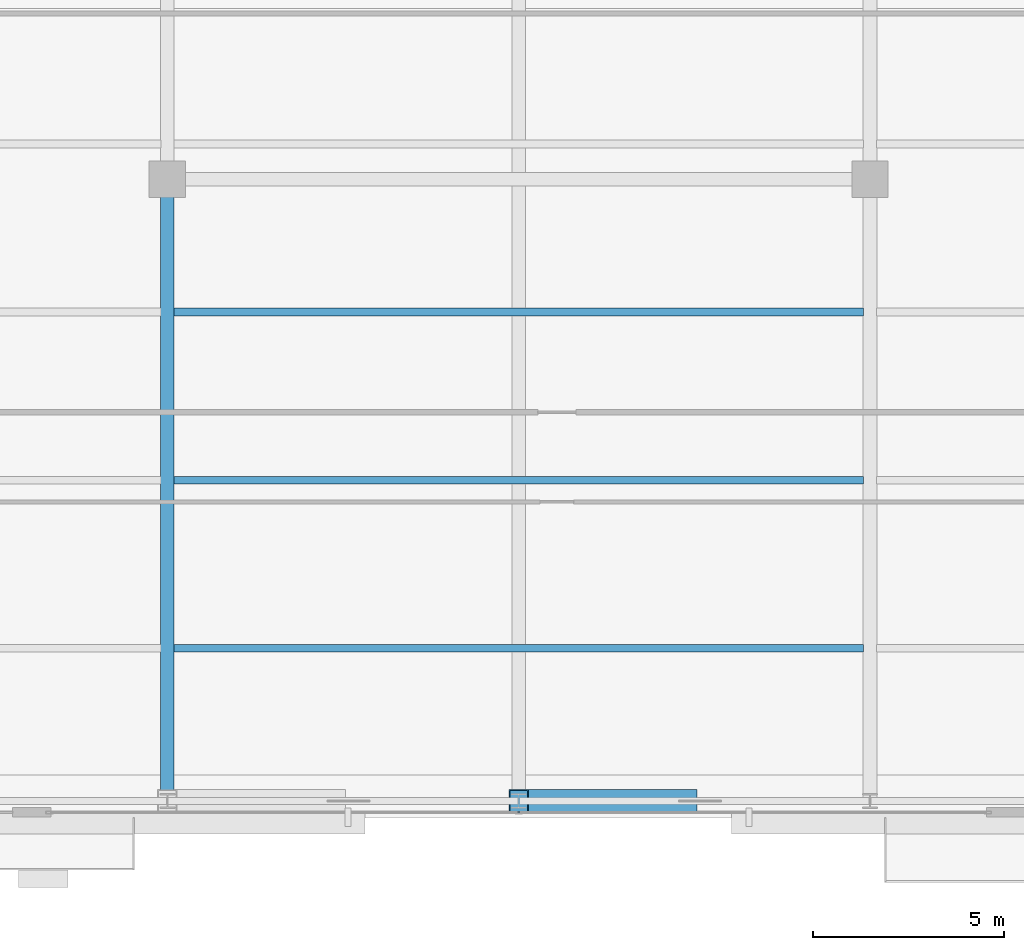
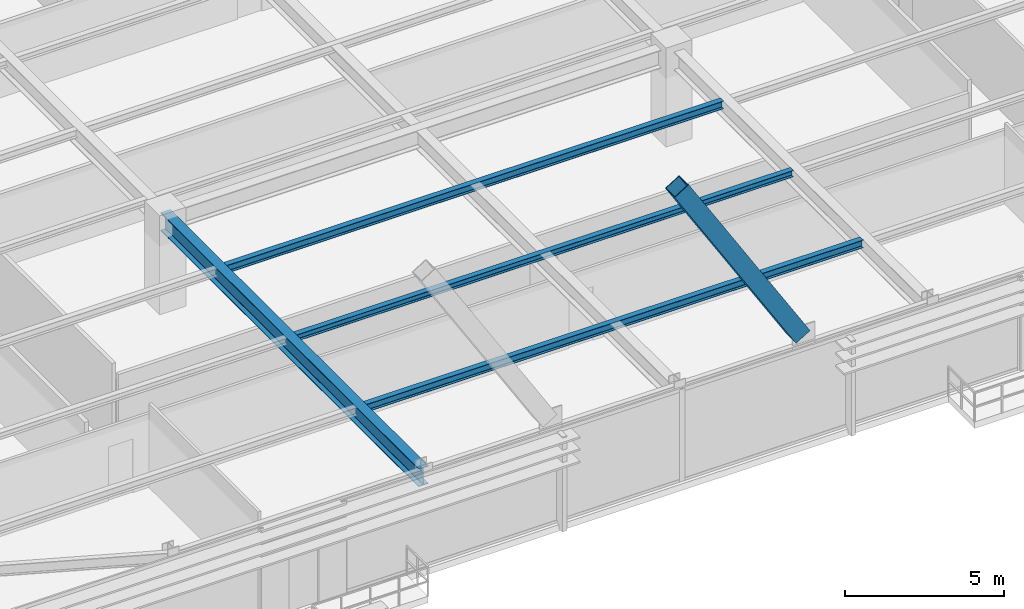
# One storey, part 7 of 37: 4 beams, 1 member.
"""IFC4 building model written with IfcOpenShell, lengths in metres."""

from ifc_helpers import new_model, si_unit, direction, frame, origin, origin_2d, place, context, subcontext, project, spatial, hollow_rectangle, i_section, extrude, source, transform, mapped, material, material_profile, profile_set, type_object, type_shapes, element, save


model = new_model("IFC4")

# Units and contexts
model_context = context("Model", 3, precision=1e-05, world=origin(), true_north=direction((0.0, 1.0)))
body_context = subcontext(model_context, "Body", "Model", "MODEL_VIEW")
ifc_project = project(units=[si_unit("LENGTHUNIT", "METRE"), si_unit("AREAUNIT", "SQUARE_METRE"), si_unit("VOLUMEUNIT", "CUBIC_METRE"), si_unit("PLANEANGLEUNIT", "RADIAN"), si_unit("MASSUNIT", "GRAM", prefix="KILO")], contexts=[model_context])

# Site, building, storey
site_placement = place(None, origin())
site = spatial("IfcSite", under=ifc_project, at=site_placement, CompositionType="ELEMENT")
building_placement = place(site_placement, origin())
building = spatial("IfcBuilding", under=site, at=building_placement, Name="Varnel Quay Broadcast Tower", CompositionType="ELEMENT")
storey_placement = place(building_placement, frame((0.0, 0.0, 106.800048828125)))
storey = spatial("IfcBuildingStorey", under=building, at=storey_placement, Name="L25", CompositionType="ELEMENT", Elevation=106.800048828125)

# Beams
ifc_material_1 = material(Name="Structural Steel CSA G40.21 350W", Category="steel")
ifc_material_profile_1 = material_profile(ifc_material_1, i_section(OverallWidth=0.35498046875, OverallDepth=0.695068359375, WebThickness=0.015380859375, FlangeThickness=0.02490234375, FilletRadius=0.01806640625, at=origin_2d()), Name="W690X217")
ifc_profile_set_1 = profile_set([ifc_material_profile_1], Name="Structural Steel CSA G40.21 350W")
beam_type_1 = type_object("IfcBeamType", Name="Girder_W690X217", PredefinedType="BEAM", material=ifc_profile_set_1)
shared_shape_1 = source(origin(), body_context, "Body", "SweptSolid", [
    extrude(i_section(OverallWidth=0.35498046875, OverallDepth=0.695068359375, WebThickness=0.015380859375, FlangeThickness=0.02490234375, FilletRadius=0.01806640625, at=origin_2d()), origin(), (0.0, 0.0, 1.0), 16.239990234375),
])
type_shapes(beam_type_1, [shared_shape_1])
beam_1_placement = place(storey_placement, frame((24.800048828125, 4.669921875, 3.202392578125), z_axis=(0.0, 1.0, 0.0), x_axis=(-1.0, 0.0, 0.0)))
element("IfcBeam", 1, at=beam_1_placement, inside=storey, type_object=beam_type_1, Name="L25 Primary Girder TC-S2-IC-01", PredefinedType="BEAM", context=body_context, shape_type="MappedRepresentation", body=[
    mapped(shared_shape_1, transform((0.0, 0.0, 0.0), x_axis=(1.0, 0.0, 0.0), y_axis=(0.0, 1.0, 0.0), z_axis=(0.0, 0.0, 1.0), scale=1.0)),
])
ifc_material_profile_2 = material_profile(ifc_material_1, i_section(OverallWidth=0.202880859375, OverallDepth=0.302978515625, WebThickness=0.007568359375, FlangeThickness=0.01318359375, FilletRadius=0.011962890625, at=origin_2d()), Name="W310X60")
ifc_profile_set_2 = profile_set([ifc_material_profile_2], Name="Structural Steel CSA G40.21 350W")
beam_type_2 = type_object("IfcBeamType", Name="Beam_W310X60", PredefinedType="JOIST", material=ifc_profile_set_2)
shared_shape_2 = source(origin(), body_context, "Body", "SweptSolid", [
    extrude(i_section(OverallWidth=0.202880859375, OverallDepth=0.302978515625, WebThickness=0.007568359375, FlangeThickness=0.01318359375, FilletRadius=0.011962890625, at=origin_2d()), origin(), (0.0, 0.0, 1.0), 18.05517578125),
])
type_shapes(beam_type_2, [shared_shape_2])
for number, where, z_axis, x_axis, name in (
    (2, (24.972412109375, 8.64990234375, 3.3984375), (1.0, 0.0, 0.0), (0.0, 1.0, 0.0), "L25 Central Floor Joist 1"),
    (3, (24.972412109375, 17.449951171875, 3.3984375), (1.0, 0.0, 0.0), (0.0, 1.0, 0.0), "L25 Central Floor Joist 3"),
):
    element("IfcBeam", number, at=place(storey_placement, frame(where, z_axis=z_axis, x_axis=x_axis)), inside=storey, type_object=beam_type_2, Name=name, PredefinedType="JOIST", context=body_context, shape_type="MappedRepresentation", body=[
        mapped(shared_shape_2, transform((0.0, 0.0, 0.0), x_axis=(1.0, 0.0, 0.0), y_axis=(0.0, 1.0, 0.0), z_axis=(0.0, 0.0, 1.0), scale=1.0)),
    ])
ifc_material_profile_3 = material_profile(ifc_material_1, i_section(OverallWidth=0.201904296875, OverallDepth=0.2470703125, WebThickness=0.00732421875, FlangeThickness=0.010986328125, FilletRadius=0.010986328125, at=origin_2d()), Name="W250X49")
ifc_profile_set_3 = profile_set([ifc_material_profile_3], Name="Structural Steel CSA G40.21 350W")
beam_type_3 = type_object("IfcBeamType", Name="Beam_W250X49", PredefinedType="JOIST", material=ifc_profile_set_3)
shared_shape_3 = source(origin(), body_context, "Body", "SweptSolid", [
    extrude(i_section(OverallWidth=0.201904296875, OverallDepth=0.2470703125, WebThickness=0.00732421875, FlangeThickness=0.010986328125, FilletRadius=0.010986328125, at=origin_2d()), origin(), (0.0, 0.0, 1.0), 18.05517578125),
])
type_shapes(beam_type_3, [shared_shape_3])
beam_2_placement = place(storey_placement, frame((24.972412109375, 13.050048828125, 3.426513671875), z_axis=(1.0, 0.0, 0.0), x_axis=(0.0, 1.0, 0.0)))
element("IfcBeam", 4, at=beam_2_placement, inside=storey, type_object=beam_type_3, Name="L25 Central Floor Joist 2", PredefinedType="JOIST", context=body_context, shape_type="MappedRepresentation", body=[
    mapped(shared_shape_3, transform((0.0, 0.0, 0.0), x_axis=(1.0, 0.0, 0.0), y_axis=(0.0, 1.0, 0.0), z_axis=(0.0, 0.0, 1.0), scale=1.0)),
])

# Member
ifc_material_2 = material(Name="Structural Steel CSA G40.21 350WT", Category="steel")
ifc_material_profile_4 = material_profile(ifc_material_2, hollow_rectangle(XDim=0.60009765625, YDim=0.60009765625, WallThickness=0.028076171875, at=origin_2d()), Name="BOX600X600X28")
ifc_profile_set_4 = profile_set([ifc_material_profile_4], Name="Structural Steel CSA G40.21 350WT")
member_type = type_object("IfcMemberType", Name="Brace_BOX600X600X28", PredefinedType="BRACE", material=ifc_profile_set_4)
shared_shape_4 = source(origin(), body_context, "Body", "SweptSolid", [
    extrude(hollow_rectangle(XDim=0.60009765625, YDim=0.60009765625, WallThickness=0.028076171875, at=origin_2d()), origin(), (0.0, 0.0, 1.0), 8.399169921875),
])
type_shapes(member_type, [shared_shape_4])
member_placement = place(storey_placement, frame((38.41064453125, 4.64990234375, 3.98193359375), z_axis=(-0.525125243666, 0.0, 0.851024957604), x_axis=(0.0, -1.0, 0.0)))
element("IfcMember", 5, at=member_placement, inside=storey, type_object=member_type, Name="Zone 2 Mega-Brace S-C2T2 Split Diag B2", PredefinedType="BRACE", context=body_context, shape_type="MappedRepresentation", body=[
    mapped(shared_shape_4, transform((0.0, 0.0, 0.0), x_axis=(1.0, 0.0, 0.0), y_axis=(0.0, 1.0, 0.0), z_axis=(0.0, 0.0, 1.0), scale=1.0)),
])

save(model, "model.ifc")
